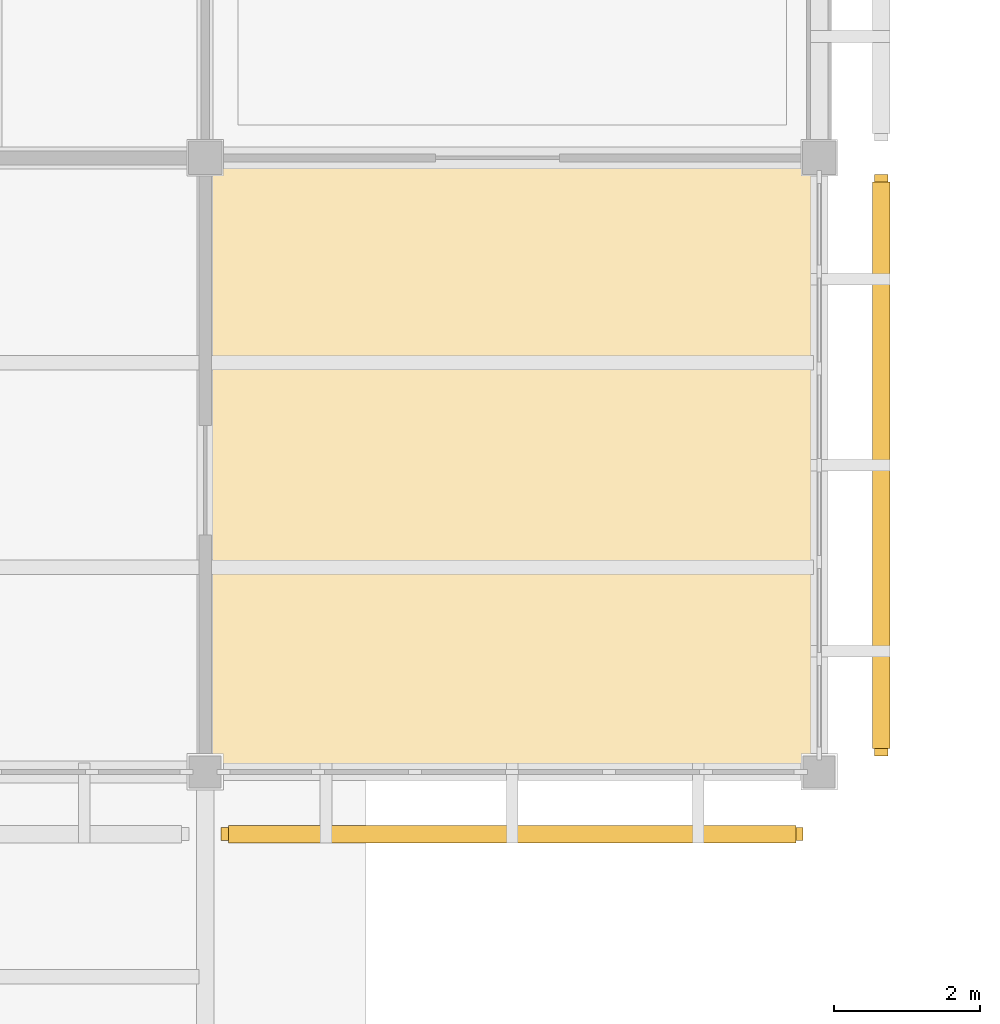
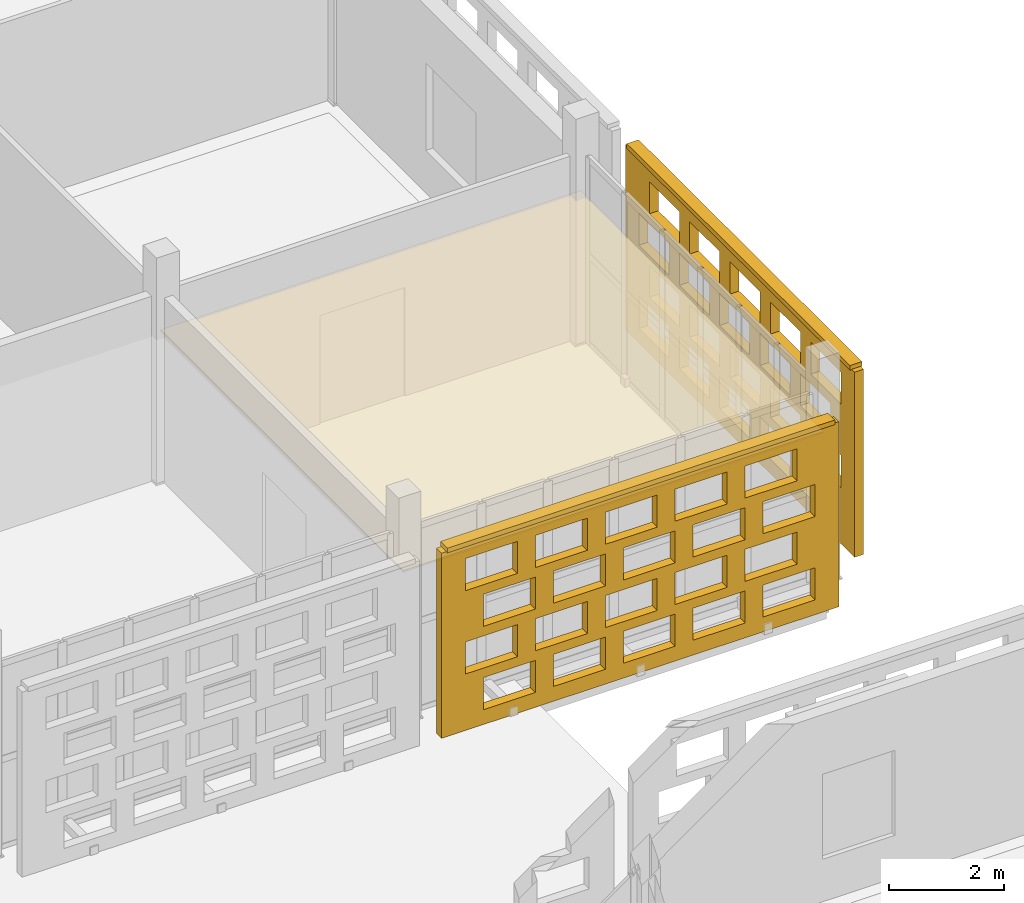
# One storey, part 195 of 203: 3 coverings, 2 shading devices, 40 openings.
"""IFC4 building model written with IfcOpenShell, lengths in metres."""

from ifc_helpers import new_model, si_unit, direction, frame, frame_2d, origin, origin_2d, place, context, subcontext, project, spatial, rectangle, extrude, material, layer, layer_set, type_object, element, save


model = new_model("IFC4")

# Units and contexts
model_context = context("Model", 3, precision=1e-05, world=origin(), true_north=direction((0.0, 1.0)))
body_context = subcontext(model_context, "Body", "Model", "MODEL_VIEW")
ifc_project = project(units=[si_unit("LENGTHUNIT", "METRE"), si_unit("AREAUNIT", "SQUARE_METRE"), si_unit("VOLUMEUNIT", "CUBIC_METRE"), si_unit("PLANEANGLEUNIT", "RADIAN"), si_unit("MASSUNIT", "GRAM", prefix="KILO")], contexts=[model_context])

# Site, building, storey
site_placement = place(None, origin())
site = spatial("IfcSite", under=ifc_project, at=site_placement, CompositionType="ELEMENT")
building_placement = place(site_placement, origin())
building = spatial("IfcBuilding", under=site, at=building_placement, Name="Varnapada Polytechnic", CompositionType="ELEMENT")
storey_placement = place(building_placement, frame((0.0, 0.0, 4.800048828125)))
storey = spatial("IfcBuildingStorey", under=building, at=storey_placement, Name="L01", CompositionType="ELEMENT", Elevation=4.800048828125)

# Covering
ifc_material_1 = material(Name="Cleanroom Laboratory Metal Pan Ceiling")
ifc_layer_1 = layer(ifc_material_1, 0.034912109375)
ifc_layer_set_1 = layer_set([ifc_layer_1], Name="Cleanroom Laboratory Metal Pan Ceiling")
covering_type_1 = type_object("IfcCoveringType", Name="Suspended Ceiling CLG-06", PredefinedType="CEILING", material=ifc_layer_set_1)
covering_1_placement = place(storey_placement, frame((172.199951171875, 63.0, 3.03271484375), z_axis=(0.0, 0.0, 1.0), x_axis=(1.0, 0.0, 0.0)))
element("IfcCovering", 1, at=covering_1_placement, inside=storey, type_object=covering_type_1, Name="L01 suspended acoustic ceiling (21,8)", PredefinedType="CEILING", context=body_context, shape_type="SweptSolid", body=[
    extrude(rectangle(XDim=8.419921875, YDim=8.419921875, at=origin_2d()), origin(), (0.0, 0.0, 1.0), 0.034912109375),
])

# Covering, openings
ifc_material_2 = material(Name="Earth-toned architectural terracotta screen block", Category="masonry")
ifc_layer_2 = layer(ifc_material_2, 0.1201171875)
ifc_layer_set_2 = layer_set([ifc_layer_2], Name="Earth-toned architectural terracotta screen block")
covering_type_2 = type_object("IfcCoveringType", Name="Terracotta Screen Cladding CLD-01", PredefinedType="CLADDING", material=ifc_layer_set_2)
covering_2_placement = place(storey_placement, frame((176.179931640625, 57.949951171875, 0.0), z_axis=(0.0, 0.0, 1.0), x_axis=(-1.0, 0.0, 0.0)))
covering_2 = element("IfcCovering", 2, at=covering_2_placement, inside=storey, type_object=covering_type_2, Name="L01 perforated terracotta block screen (144)", PredefinedType="CLADDING", context=body_context, shape_type="SweptSolid", body=[
    extrude(rectangle(XDim=7.9599609375, YDim=0.179931640625, at=frame_2d((3.97998046875, 0.0))), origin(), (0.0, 0.0, 1.0), 3.919921875),
])
opening_1_placement = place(covering_2_placement, frame((0.47998046875, 0.0, 0.313720703125)))
element("IfcOpeningElement", 3, at=opening_1_placement, cuts=covering_2, Name="Screen perforation TBS-L01-143.1", PredefinedType="OPENING", context=body_context, shape_type="SweptSolid", body=[
    extrude(rectangle(XDim=1.0400390625, YDim=0.679931640625, at=frame_2d((0.52001953125, 0.33984375))), frame((0.0, 0.099853515625, 0.0), z_axis=(0.0, -1.0, 0.0), x_axis=(1.0, 0.0, 0.0)), (0.0, 0.0, 1.0), 0.199951171875),
])
opening_2_placement = place(covering_2_placement, frame((1.8798828125, 0.0, 0.313720703125)))
element("IfcOpeningElement", 4, at=opening_2_placement, cuts=covering_2, Name="Screen perforation TBS-L01-143.2", PredefinedType="OPENING", context=body_context, shape_type="SweptSolid", body=[
    extrude(rectangle(XDim=1.0400390625, YDim=0.679931640625, at=frame_2d((0.52001953125, 0.33984375))), frame((0.0, 0.099853515625, 0.0), z_axis=(0.0, -1.0, 0.0), x_axis=(1.0, 0.0, 0.0)), (0.0, 0.0, 1.0), 0.199951171875),
])
opening_3_placement = place(covering_2_placement, frame((3.280029296875, 0.0, 0.313720703125)))
element("IfcOpeningElement", 5, at=opening_3_placement, cuts=covering_2, Name="Screen perforation TBS-L01-143.3", PredefinedType="OPENING", context=body_context, shape_type="SweptSolid", body=[
    extrude(rectangle(XDim=1.0400390625, YDim=0.679931640625, at=frame_2d((0.52001953125, 0.33984375))), frame((0.0, 0.099853515625, 0.0), z_axis=(0.0, -1.0, 0.0), x_axis=(1.0, 0.0, 0.0)), (0.0, 0.0, 1.0), 0.199951171875),
])
opening_4_placement = place(covering_2_placement, frame((4.679931640625, 0.0, 0.313720703125)))
element("IfcOpeningElement", 6, at=opening_4_placement, cuts=covering_2, Name="Screen perforation TBS-L01-143.4", PredefinedType="OPENING", context=body_context, shape_type="SweptSolid", body=[
    extrude(rectangle(XDim=1.0400390625, YDim=0.679931640625, at=frame_2d((0.52001953125, 0.33984375))), frame((0.0, 0.099853515625, 0.0), z_axis=(0.0, -1.0, 0.0), x_axis=(1.0, 0.0, 0.0)), (0.0, 0.0, 1.0), 0.199951171875),
])
opening_5_placement = place(covering_2_placement, frame((6.080078125, 0.0, 0.313720703125)))
element("IfcOpeningElement", 7, at=opening_5_placement, cuts=covering_2, Name="Screen perforation TBS-L01-143.5", PredefinedType="OPENING", context=body_context, shape_type="SweptSolid", body=[
    extrude(rectangle(XDim=1.0400390625, YDim=0.679931640625, at=frame_2d((0.52001953125, 0.33984375))), frame((0.0, 0.099853515625, 0.0), z_axis=(0.0, -1.0, 0.0), x_axis=(1.0, 0.0, 0.0)), (0.0, 0.0, 1.0), 0.199951171875),
])
opening_6_placement = place(covering_2_placement, frame((0.840087890625, 0.0, 1.195556640625)))
element("IfcOpeningElement", 8, at=opening_6_placement, cuts=covering_2, Name="Screen perforation TBS-L01-143.6", PredefinedType="OPENING", context=body_context, shape_type="SweptSolid", body=[
    extrude(rectangle(XDim=1.0400390625, YDim=0.679931640625, at=frame_2d((0.52001953125, 0.33984375))), frame((0.0, 0.099853515625, 0.0), z_axis=(0.0, -1.0, 0.0), x_axis=(1.0, 0.0, 0.0)), (0.0, 0.0, 1.0), 0.199951171875),
])
opening_7_placement = place(covering_2_placement, frame((2.239990234375, 0.0, 1.195556640625)))
element("IfcOpeningElement", 9, at=opening_7_placement, cuts=covering_2, Name="Screen perforation TBS-L01-143.7", PredefinedType="OPENING", context=body_context, shape_type="SweptSolid", body=[
    extrude(rectangle(XDim=1.0400390625, YDim=0.679931640625, at=frame_2d((0.52001953125, 0.33984375))), frame((0.0, 0.099853515625, 0.0), z_axis=(0.0, -1.0, 0.0), x_axis=(1.0, 0.0, 0.0)), (0.0, 0.0, 1.0), 0.199951171875),
])
opening_8_placement = place(covering_2_placement, frame((3.639892578125, 0.0, 1.195556640625)))
element("IfcOpeningElement", 10, at=opening_8_placement, cuts=covering_2, Name="Screen perforation TBS-L01-143.8", PredefinedType="OPENING", context=body_context, shape_type="SweptSolid", body=[
    extrude(rectangle(XDim=1.0400390625, YDim=0.679931640625, at=frame_2d((0.52001953125, 0.33984375))), frame((0.0, 0.099853515625, 0.0), z_axis=(0.0, -1.0, 0.0), x_axis=(1.0, 0.0, 0.0)), (0.0, 0.0, 1.0), 0.199951171875),
])
opening_9_placement = place(covering_2_placement, frame((5.0400390625, 0.0, 1.195556640625)))
element("IfcOpeningElement", 11, at=opening_9_placement, cuts=covering_2, Name="Screen perforation TBS-L01-143.9", PredefinedType="OPENING", context=body_context, shape_type="SweptSolid", body=[
    extrude(rectangle(XDim=1.0400390625, YDim=0.679931640625, at=frame_2d((0.52001953125, 0.33984375))), frame((0.0, 0.099853515625, 0.0), z_axis=(0.0, -1.0, 0.0), x_axis=(1.0, 0.0, 0.0)), (0.0, 0.0, 1.0), 0.199951171875),
])
opening_10_placement = place(covering_2_placement, frame((6.43994140625, 0.0, 1.195556640625)))
element("IfcOpeningElement", 12, at=opening_10_placement, cuts=covering_2, Name="Screen perforation TBS-L01-143.10", PredefinedType="OPENING", context=body_context, shape_type="SweptSolid", body=[
    extrude(rectangle(XDim=1.0400390625, YDim=0.679931640625, at=frame_2d((0.52001953125, 0.33984375))), frame((0.0, 0.099853515625, 0.0), z_axis=(0.0, -1.0, 0.0), x_axis=(1.0, 0.0, 0.0)), (0.0, 0.0, 1.0), 0.199951171875),
])
opening_11_placement = place(covering_2_placement, frame((0.47998046875, 0.0, 2.07763671875)))
element("IfcOpeningElement", 13, at=opening_11_placement, cuts=covering_2, Name="Screen perforation TBS-L01-143.11", PredefinedType="OPENING", context=body_context, shape_type="SweptSolid", body=[
    extrude(rectangle(XDim=1.0400390625, YDim=0.679931640625, at=frame_2d((0.52001953125, 0.33984375))), frame((0.0, 0.099853515625, 0.0), z_axis=(0.0, -1.0, 0.0), x_axis=(1.0, 0.0, 0.0)), (0.0, 0.0, 1.0), 0.199951171875),
])
opening_12_placement = place(covering_2_placement, frame((1.8798828125, 0.0, 2.07763671875)))
element("IfcOpeningElement", 14, at=opening_12_placement, cuts=covering_2, Name="Screen perforation TBS-L01-143.12", PredefinedType="OPENING", context=body_context, shape_type="SweptSolid", body=[
    extrude(rectangle(XDim=1.0400390625, YDim=0.679931640625, at=frame_2d((0.52001953125, 0.33984375))), frame((0.0, 0.099853515625, 0.0), z_axis=(0.0, -1.0, 0.0), x_axis=(1.0, 0.0, 0.0)), (0.0, 0.0, 1.0), 0.199951171875),
])
opening_13_placement = place(covering_2_placement, frame((3.280029296875, 0.0, 2.07763671875)))
element("IfcOpeningElement", 15, at=opening_13_placement, cuts=covering_2, Name="Screen perforation TBS-L01-143.13", PredefinedType="OPENING", context=body_context, shape_type="SweptSolid", body=[
    extrude(rectangle(XDim=1.0400390625, YDim=0.679931640625, at=frame_2d((0.52001953125, 0.33984375))), frame((0.0, 0.099853515625, 0.0), z_axis=(0.0, -1.0, 0.0), x_axis=(1.0, 0.0, 0.0)), (0.0, 0.0, 1.0), 0.199951171875),
])
opening_14_placement = place(covering_2_placement, frame((4.679931640625, 0.0, 2.07763671875)))
element("IfcOpeningElement", 16, at=opening_14_placement, cuts=covering_2, Name="Screen perforation TBS-L01-143.14", PredefinedType="OPENING", context=body_context, shape_type="SweptSolid", body=[
    extrude(rectangle(XDim=1.0400390625, YDim=0.679931640625, at=frame_2d((0.52001953125, 0.33984375))), frame((0.0, 0.099853515625, 0.0), z_axis=(0.0, -1.0, 0.0), x_axis=(1.0, 0.0, 0.0)), (0.0, 0.0, 1.0), 0.199951171875),
])
opening_15_placement = place(covering_2_placement, frame((6.080078125, 0.0, 2.07763671875)))
element("IfcOpeningElement", 17, at=opening_15_placement, cuts=covering_2, Name="Screen perforation TBS-L01-143.15", PredefinedType="OPENING", context=body_context, shape_type="SweptSolid", body=[
    extrude(rectangle(XDim=1.0400390625, YDim=0.679931640625, at=frame_2d((0.52001953125, 0.33984375))), frame((0.0, 0.099853515625, 0.0), z_axis=(0.0, -1.0, 0.0), x_axis=(1.0, 0.0, 0.0)), (0.0, 0.0, 1.0), 0.199951171875),
])
opening_16_placement = place(covering_2_placement, frame((0.840087890625, 0.0, 2.959716796875)))
element("IfcOpeningElement", 18, at=opening_16_placement, cuts=covering_2, Name="Screen perforation TBS-L01-143.16", PredefinedType="OPENING", context=body_context, shape_type="SweptSolid", body=[
    extrude(rectangle(XDim=1.0400390625, YDim=0.679931640625, at=frame_2d((0.52001953125, 0.33984375))), frame((0.0, 0.099853515625, 0.0), z_axis=(0.0, -1.0, 0.0), x_axis=(1.0, 0.0, 0.0)), (0.0, 0.0, 1.0), 0.199951171875),
])
opening_17_placement = place(covering_2_placement, frame((2.239990234375, 0.0, 2.959716796875)))
element("IfcOpeningElement", 19, at=opening_17_placement, cuts=covering_2, Name="Screen perforation TBS-L01-143.17", PredefinedType="OPENING", context=body_context, shape_type="SweptSolid", body=[
    extrude(rectangle(XDim=1.0400390625, YDim=0.679931640625, at=frame_2d((0.52001953125, 0.33984375))), frame((0.0, 0.099853515625, 0.0), z_axis=(0.0, -1.0, 0.0), x_axis=(1.0, 0.0, 0.0)), (0.0, 0.0, 1.0), 0.199951171875),
])
opening_18_placement = place(covering_2_placement, frame((3.639892578125, 0.0, 2.959716796875)))
element("IfcOpeningElement", 20, at=opening_18_placement, cuts=covering_2, Name="Screen perforation TBS-L01-143.18", PredefinedType="OPENING", context=body_context, shape_type="SweptSolid", body=[
    extrude(rectangle(XDim=1.0400390625, YDim=0.679931640625, at=frame_2d((0.52001953125, 0.33984375))), frame((0.0, 0.099853515625, 0.0), z_axis=(0.0, -1.0, 0.0), x_axis=(1.0, 0.0, 0.0)), (0.0, 0.0, 1.0), 0.199951171875),
])
opening_19_placement = place(covering_2_placement, frame((5.0400390625, 0.0, 2.959716796875)))
element("IfcOpeningElement", 21, at=opening_19_placement, cuts=covering_2, Name="Screen perforation TBS-L01-143.19", PredefinedType="OPENING", context=body_context, shape_type="SweptSolid", body=[
    extrude(rectangle(XDim=1.0400390625, YDim=0.679931640625, at=frame_2d((0.52001953125, 0.33984375))), frame((0.0, 0.099853515625, 0.0), z_axis=(0.0, -1.0, 0.0), x_axis=(1.0, 0.0, 0.0)), (0.0, 0.0, 1.0), 0.199951171875),
])
opening_20_placement = place(covering_2_placement, frame((6.43994140625, 0.0, 2.959716796875)))
element("IfcOpeningElement", 22, at=opening_20_placement, cuts=covering_2, Name="Screen perforation TBS-L01-143.20", PredefinedType="OPENING", context=body_context, shape_type="SweptSolid", body=[
    extrude(rectangle(XDim=1.0400390625, YDim=0.679931640625, at=frame_2d((0.52001953125, 0.33984375))), frame((0.0, 0.099853515625, 0.0), z_axis=(0.0, -1.0, 0.0), x_axis=(1.0, 0.0, 0.0)), (0.0, 0.0, 1.0), 0.199951171875),
])

covering_3_placement = place(storey_placement, frame((177.25, 66.969970703125, 0.0), z_axis=(0.0, 0.0, 1.0), x_axis=(0.0, -1.0, 0.0)))
covering_3 = element("IfcCovering", 23, at=covering_3_placement, inside=storey, type_object=covering_type_2, Name="L01 perforated terracotta block screen (145)", PredefinedType="CLADDING", context=body_context, shape_type="SweptSolid", body=[
    extrude(rectangle(XDim=7.949951171875, YDim=0.179931640625, at=frame_2d((3.97509765625, 0.0))), origin(), (0.0, 0.0, 1.0), 3.919921875),
])
opening_21_placement = place(covering_3_placement, frame((0.47509765625, 0.0, 0.313720703125)))
element("IfcOpeningElement", 24, at=opening_21_placement, cuts=covering_3, Name="Screen perforation TBS-L01-144.1", PredefinedType="OPENING", context=body_context, shape_type="SweptSolid", body=[
    extrude(rectangle(XDim=1.0400390625, YDim=0.679931640625, at=frame_2d((0.52001953125, 0.33984375))), frame((0.0, 0.099853515625, 0.0), z_axis=(0.0, -1.0, 0.0), x_axis=(1.0, 0.0, 0.0)), (0.0, 0.0, 1.0), 0.199951171875),
])
opening_22_placement = place(covering_3_placement, frame((1.875, 0.0, 0.313720703125)))
element("IfcOpeningElement", 25, at=opening_22_placement, cuts=covering_3, Name="Screen perforation TBS-L01-144.2", PredefinedType="OPENING", context=body_context, shape_type="SweptSolid", body=[
    extrude(rectangle(XDim=1.0400390625, YDim=0.679931640625, at=frame_2d((0.52001953125, 0.33984375))), frame((0.0, 0.099853515625, 0.0), z_axis=(0.0, -1.0, 0.0), x_axis=(1.0, 0.0, 0.0)), (0.0, 0.0, 1.0), 0.199951171875),
])
opening_23_placement = place(covering_3_placement, frame((3.27490234375, 0.0, 0.313720703125)))
element("IfcOpeningElement", 26, at=opening_23_placement, cuts=covering_3, Name="Screen perforation TBS-L01-144.3", PredefinedType="OPENING", context=body_context, shape_type="SweptSolid", body=[
    extrude(rectangle(XDim=1.0400390625, YDim=0.679931640625, at=frame_2d((0.52001953125, 0.33984375))), frame((0.0, 0.099853515625, 0.0), z_axis=(0.0, -1.0, 0.0), x_axis=(1.0, 0.0, 0.0)), (0.0, 0.0, 1.0), 0.199951171875),
])
opening_24_placement = place(covering_3_placement, frame((4.675048828125, 0.0, 0.313720703125)))
element("IfcOpeningElement", 27, at=opening_24_placement, cuts=covering_3, Name="Screen perforation TBS-L01-144.4", PredefinedType="OPENING", context=body_context, shape_type="SweptSolid", body=[
    extrude(rectangle(XDim=1.0400390625, YDim=0.679931640625, at=frame_2d((0.52001953125, 0.33984375))), frame((0.0, 0.099853515625, 0.0), z_axis=(0.0, -1.0, 0.0), x_axis=(1.0, 0.0, 0.0)), (0.0, 0.0, 1.0), 0.199951171875),
])
opening_25_placement = place(covering_3_placement, frame((6.074951171875, 0.0, 0.313720703125)))
element("IfcOpeningElement", 28, at=opening_25_placement, cuts=covering_3, Name="Screen perforation TBS-L01-144.5", PredefinedType="OPENING", context=body_context, shape_type="SweptSolid", body=[
    extrude(rectangle(XDim=1.0400390625, YDim=0.679931640625, at=frame_2d((0.52001953125, 0.33984375))), frame((0.0, 0.099853515625, 0.0), z_axis=(0.0, -1.0, 0.0), x_axis=(1.0, 0.0, 0.0)), (0.0, 0.0, 1.0), 0.199951171875),
])
opening_26_placement = place(covering_3_placement, frame((0.8349609375, 0.0, 1.195556640625)))
element("IfcOpeningElement", 29, at=opening_26_placement, cuts=covering_3, Name="Screen perforation TBS-L01-144.6", PredefinedType="OPENING", context=body_context, shape_type="SweptSolid", body=[
    extrude(rectangle(XDim=1.0400390625, YDim=0.679931640625, at=frame_2d((0.52001953125, 0.33984375))), frame((0.0, 0.099853515625, 0.0), z_axis=(0.0, -1.0, 0.0), x_axis=(1.0, 0.0, 0.0)), (0.0, 0.0, 1.0), 0.199951171875),
])
opening_27_placement = place(covering_3_placement, frame((2.235107421875, 0.0, 1.195556640625)))
element("IfcOpeningElement", 30, at=opening_27_placement, cuts=covering_3, Name="Screen perforation TBS-L01-144.7", PredefinedType="OPENING", context=body_context, shape_type="SweptSolid", body=[
    extrude(rectangle(XDim=1.0400390625, YDim=0.679931640625, at=frame_2d((0.52001953125, 0.33984375))), frame((0.0, 0.099853515625, 0.0), z_axis=(0.0, -1.0, 0.0), x_axis=(1.0, 0.0, 0.0)), (0.0, 0.0, 1.0), 0.199951171875),
])
opening_28_placement = place(covering_3_placement, frame((3.635009765625, 0.0, 1.195556640625)))
element("IfcOpeningElement", 31, at=opening_28_placement, cuts=covering_3, Name="Screen perforation TBS-L01-144.8", PredefinedType="OPENING", context=body_context, shape_type="SweptSolid", body=[
    extrude(rectangle(XDim=1.0400390625, YDim=0.679931640625, at=frame_2d((0.52001953125, 0.33984375))), frame((0.0, 0.099853515625, 0.0), z_axis=(0.0, -1.0, 0.0), x_axis=(1.0, 0.0, 0.0)), (0.0, 0.0, 1.0), 0.199951171875),
])
opening_29_placement = place(covering_3_placement, frame((5.034912109375, 0.0, 1.195556640625)))
element("IfcOpeningElement", 32, at=opening_29_placement, cuts=covering_3, Name="Screen perforation TBS-L01-144.9", PredefinedType="OPENING", context=body_context, shape_type="SweptSolid", body=[
    extrude(rectangle(XDim=1.0400390625, YDim=0.679931640625, at=frame_2d((0.52001953125, 0.33984375))), frame((0.0, 0.099853515625, 0.0), z_axis=(0.0, -1.0, 0.0), x_axis=(1.0, 0.0, 0.0)), (0.0, 0.0, 1.0), 0.199951171875),
])
opening_30_placement = place(covering_3_placement, frame((6.43505859375, 0.0, 1.195556640625)))
element("IfcOpeningElement", 33, at=opening_30_placement, cuts=covering_3, Name="Screen perforation TBS-L01-144.10", PredefinedType="OPENING", context=body_context, shape_type="SweptSolid", body=[
    extrude(rectangle(XDim=1.0400390625, YDim=0.679931640625, at=frame_2d((0.52001953125, 0.33984375))), frame((0.0, 0.099853515625, 0.0), z_axis=(0.0, -1.0, 0.0), x_axis=(1.0, 0.0, 0.0)), (0.0, 0.0, 1.0), 0.199951171875),
])
opening_31_placement = place(covering_3_placement, frame((0.47509765625, 0.0, 2.07763671875)))
element("IfcOpeningElement", 34, at=opening_31_placement, cuts=covering_3, Name="Screen perforation TBS-L01-144.11", PredefinedType="OPENING", context=body_context, shape_type="SweptSolid", body=[
    extrude(rectangle(XDim=1.0400390625, YDim=0.679931640625, at=frame_2d((0.52001953125, 0.33984375))), frame((0.0, 0.099853515625, 0.0), z_axis=(0.0, -1.0, 0.0), x_axis=(1.0, 0.0, 0.0)), (0.0, 0.0, 1.0), 0.199951171875),
])
opening_32_placement = place(covering_3_placement, frame((1.875, 0.0, 2.07763671875)))
element("IfcOpeningElement", 35, at=opening_32_placement, cuts=covering_3, Name="Screen perforation TBS-L01-144.12", PredefinedType="OPENING", context=body_context, shape_type="SweptSolid", body=[
    extrude(rectangle(XDim=1.0400390625, YDim=0.679931640625, at=frame_2d((0.52001953125, 0.33984375))), frame((0.0, 0.099853515625, 0.0), z_axis=(0.0, -1.0, 0.0), x_axis=(1.0, 0.0, 0.0)), (0.0, 0.0, 1.0), 0.199951171875),
])
opening_33_placement = place(covering_3_placement, frame((3.27490234375, 0.0, 2.07763671875)))
element("IfcOpeningElement", 36, at=opening_33_placement, cuts=covering_3, Name="Screen perforation TBS-L01-144.13", PredefinedType="OPENING", context=body_context, shape_type="SweptSolid", body=[
    extrude(rectangle(XDim=1.0400390625, YDim=0.679931640625, at=frame_2d((0.52001953125, 0.33984375))), frame((0.0, 0.099853515625, 0.0), z_axis=(0.0, -1.0, 0.0), x_axis=(1.0, 0.0, 0.0)), (0.0, 0.0, 1.0), 0.199951171875),
])
opening_34_placement = place(covering_3_placement, frame((4.675048828125, 0.0, 2.07763671875)))
element("IfcOpeningElement", 37, at=opening_34_placement, cuts=covering_3, Name="Screen perforation TBS-L01-144.14", PredefinedType="OPENING", context=body_context, shape_type="SweptSolid", body=[
    extrude(rectangle(XDim=1.0400390625, YDim=0.679931640625, at=frame_2d((0.52001953125, 0.33984375))), frame((0.0, 0.099853515625, 0.0), z_axis=(0.0, -1.0, 0.0), x_axis=(1.0, 0.0, 0.0)), (0.0, 0.0, 1.0), 0.199951171875),
])
opening_35_placement = place(covering_3_placement, frame((6.074951171875, 0.0, 2.07763671875)))
element("IfcOpeningElement", 38, at=opening_35_placement, cuts=covering_3, Name="Screen perforation TBS-L01-144.15", PredefinedType="OPENING", context=body_context, shape_type="SweptSolid", body=[
    extrude(rectangle(XDim=1.0400390625, YDim=0.679931640625, at=frame_2d((0.52001953125, 0.33984375))), frame((0.0, 0.099853515625, 0.0), z_axis=(0.0, -1.0, 0.0), x_axis=(1.0, 0.0, 0.0)), (0.0, 0.0, 1.0), 0.199951171875),
])
opening_36_placement = place(covering_3_placement, frame((0.8349609375, 0.0, 2.959716796875)))
element("IfcOpeningElement", 39, at=opening_36_placement, cuts=covering_3, Name="Screen perforation TBS-L01-144.16", PredefinedType="OPENING", context=body_context, shape_type="SweptSolid", body=[
    extrude(rectangle(XDim=1.0400390625, YDim=0.679931640625, at=frame_2d((0.52001953125, 0.33984375))), frame((0.0, 0.099853515625, 0.0), z_axis=(0.0, -1.0, 0.0), x_axis=(1.0, 0.0, 0.0)), (0.0, 0.0, 1.0), 0.199951171875),
])
opening_37_placement = place(covering_3_placement, frame((2.235107421875, 0.0, 2.959716796875)))
element("IfcOpeningElement", 40, at=opening_37_placement, cuts=covering_3, Name="Screen perforation TBS-L01-144.17", PredefinedType="OPENING", context=body_context, shape_type="SweptSolid", body=[
    extrude(rectangle(XDim=1.0400390625, YDim=0.679931640625, at=frame_2d((0.52001953125, 0.33984375))), frame((0.0, 0.099853515625, 0.0), z_axis=(0.0, -1.0, 0.0), x_axis=(1.0, 0.0, 0.0)), (0.0, 0.0, 1.0), 0.199951171875),
])
opening_38_placement = place(covering_3_placement, frame((3.635009765625, 0.0, 2.959716796875)))
element("IfcOpeningElement", 41, at=opening_38_placement, cuts=covering_3, Name="Screen perforation TBS-L01-144.18", PredefinedType="OPENING", context=body_context, shape_type="SweptSolid", body=[
    extrude(rectangle(XDim=1.0400390625, YDim=0.679931640625, at=frame_2d((0.52001953125, 0.33984375))), frame((0.0, 0.099853515625, 0.0), z_axis=(0.0, -1.0, 0.0), x_axis=(1.0, 0.0, 0.0)), (0.0, 0.0, 1.0), 0.199951171875),
])
opening_39_placement = place(covering_3_placement, frame((5.034912109375, 0.0, 2.959716796875)))
element("IfcOpeningElement", 42, at=opening_39_placement, cuts=covering_3, Name="Screen perforation TBS-L01-144.19", PredefinedType="OPENING", context=body_context, shape_type="SweptSolid", body=[
    extrude(rectangle(XDim=1.0400390625, YDim=0.679931640625, at=frame_2d((0.52001953125, 0.33984375))), frame((0.0, 0.099853515625, 0.0), z_axis=(0.0, -1.0, 0.0), x_axis=(1.0, 0.0, 0.0)), (0.0, 0.0, 1.0), 0.199951171875),
])
opening_40_placement = place(covering_3_placement, frame((6.43505859375, 0.0, 2.959716796875)))
element("IfcOpeningElement", 43, at=opening_40_placement, cuts=covering_3, Name="Screen perforation TBS-L01-144.20", PredefinedType="OPENING", context=body_context, shape_type="SweptSolid", body=[
    extrude(rectangle(XDim=1.0400390625, YDim=0.679931640625, at=frame_2d((0.52001953125, 0.33984375))), frame((0.0, 0.099853515625, 0.0), z_axis=(0.0, -1.0, 0.0), x_axis=(1.0, 0.0, 0.0)), (0.0, 0.0, 1.0), 0.199951171875),
])

# Shading devices
ifc_layer_3 = layer(ifc_material_2, 0.179931640625)
ifc_layer_set_3 = layer_set([ifc_layer_3], Name="Earth-toned architectural terracotta screen block")
shading_device_type = type_object("IfcShadingDeviceType", Name="Terracotta Screen SCR-02", PredefinedType="USERDEFINED", material=ifc_layer_set_3)
shading_device_1_placement = place(storey_placement, frame((172.199951171875, 57.949951171875, 3.909912109375), z_axis=(0.0, 0.0, 1.0), x_axis=(-1.0, 0.0, 0.0)))
element("IfcShadingDevice", 44, at=shading_device_1_placement, inside=storey, type_object=shading_device_type, Name="L01 perforated terracotta screen hood 222", ObjectType="SCREEN", PredefinedType="USERDEFINED", context=body_context, shape_type="SweptSolid", body=[
    extrude(rectangle(XDim=7.760009765625, YDim=0.239990234375, at=origin_2d()), origin(), (0.0, 0.0, 1.0), 0.10009765625),
])
shading_device_2_placement = place(storey_placement, frame((177.25, 62.9951171875, 3.909912109375), z_axis=(0.0, 0.0, 1.0), x_axis=(0.0, -1.0, 0.0)))
element("IfcShadingDevice", 45, at=shading_device_2_placement, inside=storey, type_object=shading_device_type, Name="L01 perforated terracotta screen hood 223", ObjectType="SCREEN", PredefinedType="USERDEFINED", context=body_context, shape_type="SweptSolid", body=[
    extrude(rectangle(XDim=7.75, YDim=0.239990234375, at=origin_2d()), origin(), (0.0, 0.0, 1.0), 0.10009765625),
])

save(model, "model.ifc")
